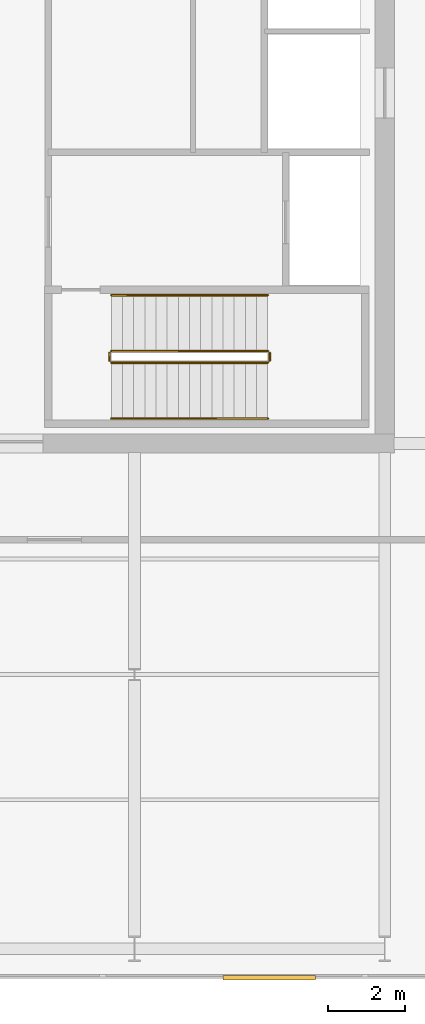
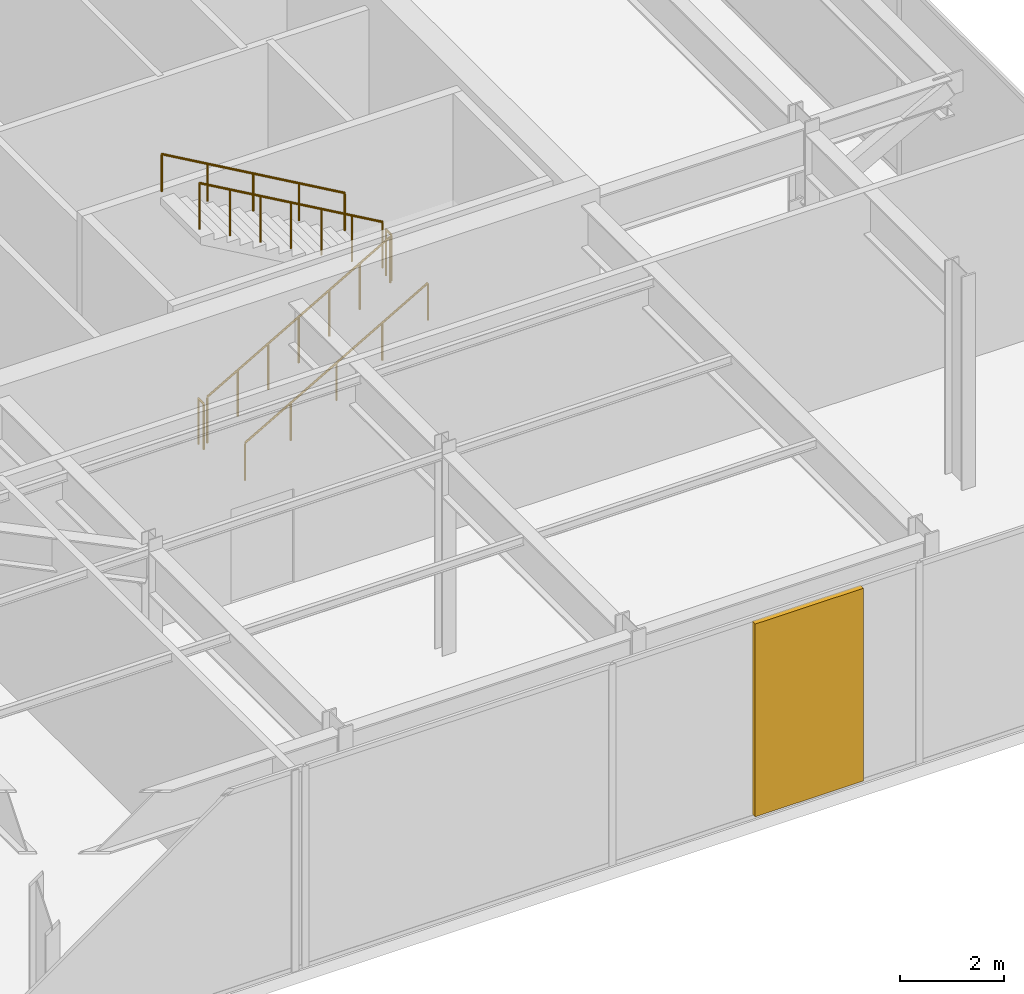
# One storey, part 22 of 23: 6 railings, 1 shading device.
"""IFC4 building model written with IfcOpenShell, lengths in metres."""

from ifc_helpers import new_model, si_unit, direction, frame, origin, origin_2d, place, context, subcontext, project, spatial, rectangle, circle, extrude, material, layer, layer_set, type_object, element, save


model = new_model("IFC4")

# Units and contexts
model_context = context("Model", 3, precision=1e-05, world=origin(), true_north=direction((0.0, 1.0)))
body_context = subcontext(model_context, "Body", "Model", "MODEL_VIEW")
ifc_project = project(units=[si_unit("LENGTHUNIT", "METRE"), si_unit("AREAUNIT", "SQUARE_METRE"), si_unit("VOLUMEUNIT", "CUBIC_METRE"), si_unit("PLANEANGLEUNIT", "RADIAN"), si_unit("MASSUNIT", "GRAM", prefix="KILO")], contexts=[model_context])

# Site, building, storey
site_placement = place(None, origin())
site = spatial("IfcSite", under=ifc_project, at=site_placement, CompositionType="ELEMENT")
building_placement = place(site_placement, origin())
building = spatial("IfcBuilding", under=site, at=building_placement, Name="Putna Gate Headquarters", CompositionType="ELEMENT")
storey_placement = place(building_placement, frame((0.0, 0.0, 310.39990234375)))
storey = spatial("IfcBuildingStorey", under=building, at=storey_placement, Name="L78", CompositionType="ELEMENT", Elevation=310.39990234375)

# Railings
ifc_material_1 = material(Name="Powder-coated steel stair guardrail", Category="steel")
railing_type_1 = type_object("IfcRailingType", Name="RAIL-STAIR-GUARD-1100", PredefinedType="GUARDRAIL", material=ifc_material_1)
railing_1_placement = place(storey_placement, frame((57.89990234375, 21.10009765625, 0.166748046875)))
element("IfcRailing", 1, at=railing_1_placement, inside=storey, type_object=railing_type_1, Name="L78 ST2 stair guard 1", PredefinedType="GUARDRAIL", context=body_context, shape_type="SweptSolid", body=[
    extrude(circle(Radius=0.02392578125, at=origin_2d()), frame((0.0, 0.0, 1.076171875), z_axis=(0.867024558463, 0.0, 0.498265406207), x_axis=(0.0, 1.0, 0.0)), (0.0, 0.0, 1.0), 4.682861328125),
    extrude(circle(Radius=0.02099609375, at=origin_2d()), origin(), (0.0, 0.0, 1.0), 1.052001953125),
    extrude(circle(Radius=0.02099609375, at=origin_2d()), frame((0.6767578125, 0.0, 0.388916015625)), (0.0, 0.0, 1.0), 1.052001953125),
    extrude(circle(Radius=0.02099609375, at=origin_2d()), frame((1.353271484375, 0.0, 0.77783203125)), (0.0, 0.0, 1.0), 1.052001953125),
    extrude(circle(Radius=0.02099609375, at=origin_2d()), frame((2.030029296875, 0.0, 1.16650390625)), (0.0, 0.0, 1.0), 1.052001953125),
    extrude(circle(Radius=0.02099609375, at=origin_2d()), frame((2.706787109375, 0.0, 1.555419921875)), (0.0, 0.0, 1.0), 1.052001953125),
    extrude(circle(Radius=0.02099609375, at=origin_2d()), frame((3.38330078125, 0.0, 1.9443359375)), (0.0, 0.0, 1.0), 1.052001953125),
    extrude(circle(Radius=0.02099609375, at=origin_2d()), frame((4.06005859375, 0.0, 2.333251953125)), (0.0, 0.0, 1.0), 1.052001953125),
])
railing_2_placement = place(storey_placement, frame((62.010009765625, 21.14990234375, 2.5)))
element("IfcRailing", 2, at=railing_2_placement, inside=storey, type_object=railing_type_1, Name="L78 ST2 stair guard 2", PredefinedType="GUARDRAIL", context=body_context, shape_type="SweptSolid", body=[
    extrude(circle(Radius=0.02392578125, at=origin_2d()), frame((0.0, 0.0, 1.076171875), z_axis=(0.0, 1.0, 0.0), x_axis=(-1.0, 0.0, 0.0)), (0.0, 0.0, 1.0), 0.2001953125),
    extrude(circle(Radius=0.02099609375, at=origin_2d()), origin(), (0.0, 0.0, 1.0), 1.052001953125),
    extrude(circle(Radius=0.02099609375, at=origin_2d()), frame((0.0, 0.2001953125, 0.0)), (0.0, 0.0, 1.0), 1.052001953125),
])
railing_3_placement = place(storey_placement, frame((61.9599609375, 21.39990234375, 2.666748046875)))
element("IfcRailing", 3, at=railing_3_placement, inside=storey, type_object=railing_type_1, Name="L78 ST2 stair guard 3", PredefinedType="GUARDRAIL", context=body_context, shape_type="SweptSolid", body=[
    extrude(circle(Radius=0.02392578125, at=origin_2d()), frame((0.0, 0.0, 1.076171875), z_axis=(-0.867024558463, 0.0, 0.498265406207), x_axis=(0.0, -1.0, 0.0)), (0.0, 0.0, 1.0), 4.682861328125),
    extrude(circle(Radius=0.02099609375, at=origin_2d()), origin(), (0.0, 0.0, 1.0), 1.052001953125),
    extrude(circle(Radius=0.02099609375, at=origin_2d()), frame((-0.6767578125, 0.0, 0.388916015625)), (0.0, 0.0, 1.0), 1.052001953125),
    extrude(circle(Radius=0.02099609375, at=origin_2d()), frame((-1.353271484375, 0.0, 0.77783203125)), (0.0, 0.0, 1.0), 1.052001953125),
    extrude(circle(Radius=0.02099609375, at=origin_2d()), frame((-2.030029296875, 0.0, 1.16650390625)), (0.0, 0.0, 1.0), 1.052001953125),
    extrude(circle(Radius=0.02099609375, at=origin_2d()), frame((-2.706787109375, 0.0, 1.555419921875)), (0.0, 0.0, 1.0), 1.052001953125),
    extrude(circle(Radius=0.02099609375, at=origin_2d()), frame((-3.38330078125, 0.0, 1.9443359375)), (0.0, 0.0, 1.0), 1.052001953125),
    extrude(circle(Radius=0.02099609375, at=origin_2d()), frame((-4.06005859375, 0.0, 2.333251953125)), (0.0, 0.0, 1.0), 1.052001953125),
])
railing_4_placement = place(storey_placement, frame((57.85009765625, 21.14990234375, 0.0)))
element("IfcRailing", 4, at=railing_4_placement, inside=storey, type_object=railing_type_1, Name="L78 ST2 stair guard 4", PredefinedType="GUARDRAIL", context=body_context, shape_type="SweptSolid", body=[
    extrude(circle(Radius=0.02392578125, at=origin_2d()), frame((0.0, 0.0, 1.076171875), z_axis=(0.0, 1.0, 0.0), x_axis=(-1.0, 0.0, 0.0)), (0.0, 0.0, 1.0), 0.2001953125),
    extrude(circle(Radius=0.02099609375, at=origin_2d()), origin(), (0.0, 0.0, 1.0), 1.052001953125),
    extrude(circle(Radius=0.02099609375, at=origin_2d()), frame((0.0, 0.2001953125, 0.0)), (0.0, 0.0, 1.0), 1.052001953125),
])
ifc_material_2 = material(Name="Brushed stainless steel handrail", Category="steel")
railing_type_2 = type_object("IfcRailingType", Name="RAIL-STAIR-HAND-900", PredefinedType="HANDRAIL", material=ifc_material_2)
railing_5_placement = place(storey_placement, frame((57.89990234375, 19.64990234375, 0.166748046875)))
element("IfcRailing", 5, at=railing_5_placement, inside=storey, type_object=railing_type_2, Name="L78 ST2 stair handrail 1", PredefinedType="HANDRAIL", context=body_context, shape_type="SweptSolid", body=[
    extrude(circle(Radius=0.02392578125, at=origin_2d()), frame((0.0, 0.0, 0.8759765625), z_axis=(0.867024558463, 0.0, 0.498265406207), x_axis=(0.0, 1.0, 0.0)), (0.0, 0.0, 1.0), 4.682861328125),
    extrude(circle(Radius=0.02099609375, at=origin_2d()), origin(), (0.0, 0.0, 1.0), 0.851806640625),
    extrude(circle(Radius=0.02099609375, at=origin_2d()), frame((1.01513671875, 0.0, 0.583251953125)), (0.0, 0.0, 1.0), 0.851806640625),
    extrude(circle(Radius=0.02099609375, at=origin_2d()), frame((2.030029296875, 0.0, 1.16650390625)), (0.0, 0.0, 1.0), 0.851806640625),
    extrude(circle(Radius=0.02099609375, at=origin_2d()), frame((3.044921875, 0.0, 1.75)), (0.0, 0.0, 1.0), 0.851806640625),
    extrude(circle(Radius=0.02099609375, at=origin_2d()), frame((4.06005859375, 0.0, 2.333251953125)), (0.0, 0.0, 1.0), 0.851806640625),
])
railing_6_placement = place(storey_placement, frame((61.9599609375, 22.85009765625, 2.666748046875)))
element("IfcRailing", 6, at=railing_6_placement, inside=storey, type_object=railing_type_2, Name="L78 ST2 stair handrail 2", PredefinedType="HANDRAIL", context=body_context, shape_type="SweptSolid", body=[
    extrude(circle(Radius=0.02392578125, at=origin_2d()), frame((0.0, 0.0, 0.8759765625), z_axis=(-0.867024558463, 0.0, 0.498265406207), x_axis=(0.0, -1.0, 0.0)), (0.0, 0.0, 1.0), 4.682861328125),
    extrude(circle(Radius=0.02099609375, at=origin_2d()), origin(), (0.0, 0.0, 1.0), 0.851806640625),
    extrude(circle(Radius=0.02099609375, at=origin_2d()), frame((-1.01513671875, 0.0, 0.583251953125)), (0.0, 0.0, 1.0), 0.851806640625),
    extrude(circle(Radius=0.02099609375, at=origin_2d()), frame((-2.030029296875, 0.0, 1.16650390625)), (0.0, 0.0, 1.0), 0.851806640625),
    extrude(circle(Radius=0.02099609375, at=origin_2d()), frame((-3.044921875, 0.0, 1.75)), (0.0, 0.0, 1.0), 0.851806640625),
    extrude(circle(Radius=0.02099609375, at=origin_2d()), frame((-4.06005859375, 0.0, 2.333251953125)), (0.0, 0.0, 1.0), 0.851806640625),
])

# Shading device
ifc_material_3 = material(Name="Anodised bronze acoustic weather louvre", Category="aluminium")
ifc_layer = layer(ifc_material_3, 0.1201171875)
ifc_layer_set = layer_set([ifc_layer], Name="Anodised bronze acoustic weather louvre")
shading_device_type = type_object("IfcShadingDeviceType", Name="SHADE-PLANT-LOUVRE", PredefinedType="JALOUSIE", material=ifc_layer_set)
shading_device_placement = place(storey_placement, frame((62.0, 5.1298828125, 0.10009765625), z_axis=(0.0, 0.0, 1.0), x_axis=(1.0, 0.0, 0.0)))
element("IfcShadingDevice", 7, at=shading_device_placement, inside=storey, type_object=shading_device_type, Name="L78 Bronze Acoustic Louvre S3", PredefinedType="JALOUSIE", context=body_context, shape_type="SweptSolid", body=[
    extrude(rectangle(XDim=2.39990234375, YDim=0.1201171875, at=origin_2d()), origin(), (0.0, 0.0, 1.0), 4.52001953125),
])

save(model, "model.ifc")
